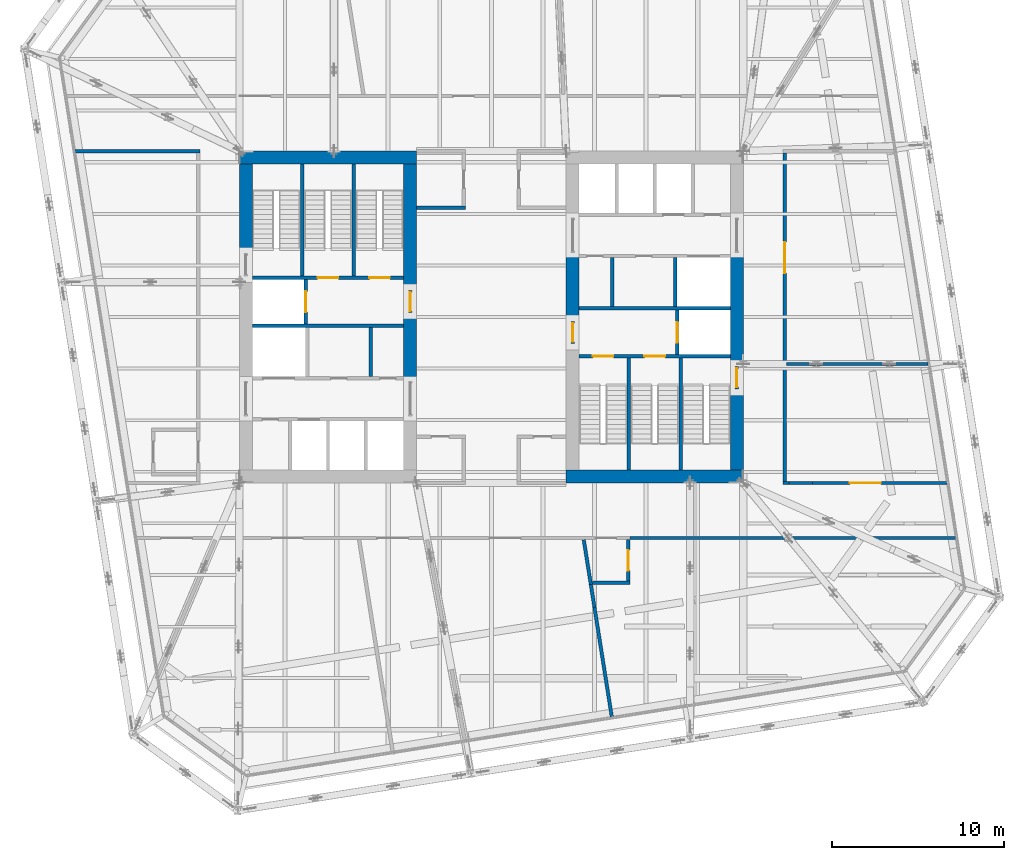
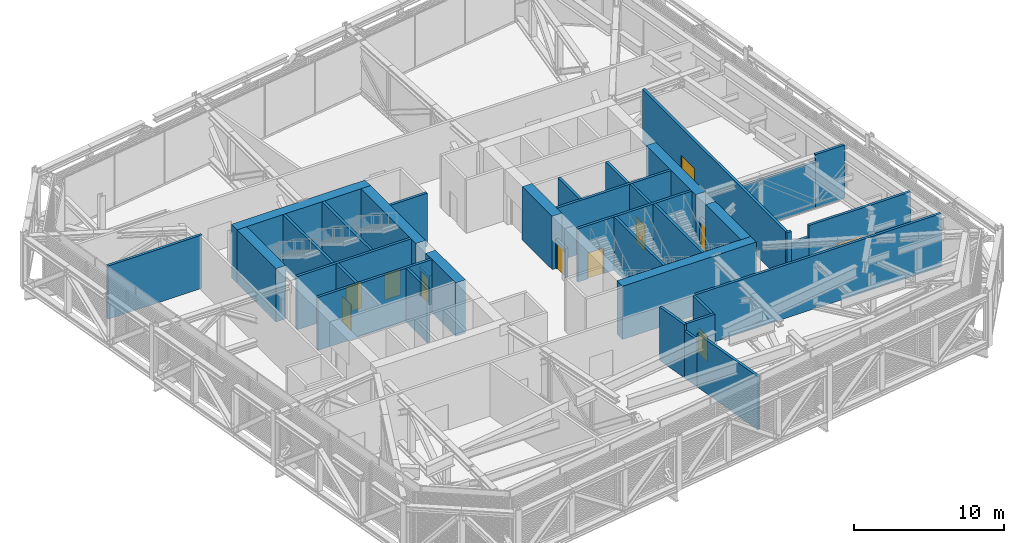
# One storey, part 21 of 31: 38 walls, 12 doors, 12 openings.
"""IFC4 building model written with IfcOpenShell, lengths in metres."""

import ifcopenshell
import ifcopenshell.guid

model = None  # the IFC model being written
_history = None  # IfcOwnerHistory: only IFC2X3 demands one
_inside = {}  # id of a spatial element -> (the spatial element, [elements in it])
_under = {}  # id of a project, library or spatial element -> (it, [spatial elements below it])
_declared = {}  # id of a project -> (the project, [libraries it declares])
_typed = {}  # id of a type object -> (the type object, [elements of that type])
_made_of = {}  # id of a material, layer set ... -> (it, [elements and type objects made of it])


def new_model(schema):
    """Start an empty IFC model of exactly this schema.

    Asked for "IFC4X3", IfcOpenShell would pick the latest addendum, in which some entities
    have other attributes; the version numbers below select the first issue.
    IFC2X3 requires an IfcOwnerHistory on every rooted entity: one is made here for all.
    """
    global model, _history
    if schema == "IFC4X3":
        model = ifcopenshell.file(schema_version=(4, 3, 0, 0))
    else:
        model = ifcopenshell.file(schema=schema)
    _inside.clear()
    _under.clear()
    _declared.clear()
    _typed.clear()
    _made_of.clear()
    _history = None
    if model.schema == "IFC2X3":
        org = make("IfcOrganization", Name="unknown")
        user = make(
            "IfcPersonAndOrganization",
            ThePerson=make("IfcPerson", FamilyName="unknown"),
            TheOrganization=org,
        )
        app = make(
            "IfcApplication",
            ApplicationDeveloper=org,
            Version="unknown",
            ApplicationFullName="unknown",
            ApplicationIdentifier="unknown",
        )
        _history = make(
            "IfcOwnerHistory",
            OwningUser=user,
            OwningApplication=app,
            ChangeAction="ADDED",
            CreationDate=0,
        )
    return model


def make(cls, **values):
    """One entity of the class cls with the attributes given. An attribute that is None is left unset."""
    return model.create_entity(
        cls, **{name: value for name, value in values.items() if value is not None}
    )


def rooted(cls, **values):
    """An entity with a GlobalId (a new one), such as an element, a storey or a relation."""
    return make(cls, GlobalId=ifcopenshell.guid.new(), OwnerHistory=_history, **values)


def si_unit(unit_type, name, prefix=None):
    """IfcSIUnit, for example si_unit("LENGTHUNIT", "METRE", prefix="MILLI")."""
    return make("IfcSIUnit", UnitType=unit_type, Prefix=prefix, Name=name)


def assignment(units):
    """IfcUnitAssignment: the units of a project."""
    return None if units is None else make("IfcUnitAssignment", Units=units)


def point(xyz):
    """IfcCartesianPoint."""
    return None if xyz is None else make("IfcCartesianPoint", Coordinates=xyz)


def direction(xyz):
    """IfcDirection."""
    return None if xyz is None else make("IfcDirection", DirectionRatios=xyz)


def frame(location, z_axis=None, x_axis=None):
    """IfcAxis2Placement3D, a coordinate frame: its origin and axes. An axis left out is left unset."""
    return make(
        "IfcAxis2Placement3D",
        Location=point(location),
        Axis=direction(z_axis),
        RefDirection=direction(x_axis),
    )


def frame_2d(location, x_axis=None):
    """IfcAxis2Placement2D, a coordinate frame in the plane: its origin and x axis."""
    return make(
        "IfcAxis2Placement2D", Location=point(location), RefDirection=direction(x_axis)
    )


def origin():
    """The frame at (0, 0, 0) with its axes left unset."""
    return frame((0.0, 0.0, 0.0))


def place(relative_to, where):
    """IfcLocalPlacement: puts the frame where relative to a parent placement (None: the world)."""
    return make(
        "IfcLocalPlacement", PlacementRelTo=relative_to, RelativePlacement=where
    )


def context(
    kind, dimensions, precision=None, world=None, true_north=None, identifier=None
):
    """IfcGeometricRepresentationContext, for example the 3D "Model" context."""
    return make(
        "IfcGeometricRepresentationContext",
        ContextIdentifier=identifier,
        ContextType=kind,
        CoordinateSpaceDimension=dimensions,
        Precision=precision,
        WorldCoordinateSystem=world,
        TrueNorth=true_north,
    )


def subcontext(parent, identifier, kind, view, scale=None):
    """IfcGeometricRepresentationSubContext, for example "Body" below "Model"."""
    return make(
        "IfcGeometricRepresentationSubContext",
        ContextIdentifier=identifier,
        ContextType=kind,
        ParentContext=parent,
        TargetScale=scale,
        TargetView=view,
    )


def project(units=None, contexts=None):
    """IfcProject with its units and contexts."""
    return rooted(
        "IfcProject",
        Name="project",
        RepresentationContexts=contexts,
        UnitsInContext=assignment(units),
    )


def spatial(cls, under=None, at=None, **own):
    """A site, building, storey or space (cls), placed at a placement, below another one or the project."""
    s = rooted(cls, ObjectPlacement=at, **own)
    if under is not None:
        _under.setdefault(under.id(), (under, []))[1].append(s)
    return s


def profile(cls, at=None, kind="AREA", **sizes):
    """A parametric profile (cls). Its sizes go by their IFC names, for example OverallWidth=200.0."""
    return make(cls, ProfileType=kind, Position=at, **sizes)


def rectangle(**sizes):
    """IfcRectangleProfileDef."""
    return profile("IfcRectangleProfileDef", **sizes)


def extrude(swept, where, along, depth):
    """IfcExtrudedAreaSolid: the profile swept, set in the frame where, extruded along a direction by depth."""
    return make(
        "IfcExtrudedAreaSolid",
        SweptArea=swept,
        Position=where,
        ExtrudedDirection=direction(along),
        Depth=depth,
    )


def shape(context_of_items, identifier, shape_type, items):
    """IfcShapeRepresentation: the items that make up one representation, for example the "Body"."""
    return make(
        "IfcShapeRepresentation",
        ContextOfItems=context_of_items,
        RepresentationIdentifier=identifier,
        RepresentationType=shape_type,
        Items=items,
    )


def material(Name=None, Category=None):
    """IfcMaterial."""
    return make("IfcMaterial", Name=Name, Category=Category)


def layer(
    of_material, thickness, ventilated=None, Name=None, Category=None, Priority=None
):
    """IfcMaterialLayer: one layer of a wall or slab, of a material (None: an air gap)."""
    return make(
        "IfcMaterialLayer",
        Material=of_material,
        LayerThickness=thickness,
        IsVentilated=ventilated,
        Name=Name,
        Category=Category,
        Priority=Priority,
    )


def layer_set(layers, Name=None):
    """IfcMaterialLayerSet."""
    return make("IfcMaterialLayerSet", MaterialLayers=layers, LayerSetName=Name)


def made_of(thing, what):
    """Note that an element or type object is made of a material, layer set ...; save() writes the relation."""
    if what is not None:
        _made_of.setdefault(what.id(), (what, []))[1].append(thing)
    return thing


def type_object(cls, material=None, **own):
    """A type object (cls), such as IfcWallType, which elements share."""
    return made_of(rooted(cls, **own), material)


def element(
    cls,
    number,
    at=None,
    inside=None,
    cuts=None,
    type_object=None,
    material=None,
    context=None,
    identifier="Body",
    shape_type=None,
    held_by="IfcProductDefinitionShape",
    body=None,
    shapes=None,
    **own,
):
    """One element of the class cls, such as IfcWall. Its Tag is "e" and its number.

    at: its placement. inside: the storey or other place that contains it. cuts: it is an
    opening in that element (IfcRelVoidsElement). A single representation is given by context,
    identifier, shape_type and body (its items); several are given by shapes. held_by: the class
    of the entity that holds the representations. save() writes the other relations.
    """
    e = rooted(cls, Tag="e%d" % number, ObjectPlacement=at, **own)
    if body is not None:
        shapes = [shape(context, identifier, shape_type, body)]
    if shapes is not None:
        e.Representation = make(held_by, Representations=shapes)
    if inside is not None:
        _inside.setdefault(inside.id(), (inside, []))[1].append(e)
    if cuts is not None:
        rooted(
            "IfcRelVoidsElement", RelatingBuildingElement=cuts, RelatedOpeningElement=e
        )
    if type_object is not None:
        _typed.setdefault(type_object.id(), (type_object, []))[1].append(e)
    return made_of(e, material)


def fill(opening, filler):
    """IfcRelFillsElement: the door or window that sits in an opening."""
    return rooted(
        "IfcRelFillsElement",
        RelatingOpeningElement=opening,
        RelatedBuildingElement=filler,
    )


def aggregate(whole, parts):
    """IfcRelAggregates: a whole, such as a stair, and the parts it consists of."""
    return rooted("IfcRelAggregates", RelatingObject=whole, RelatedObjects=parts)


def save(model, path):
    """Write the relations noted so far, then the file.

    IfcRelAggregates (storeys below a building ...), IfcRelContainedInSpatialStructure (elements
    in a storey), IfcRelDefinesByType, IfcRelAssociatesMaterial and IfcRelDeclares: one each for
    every whole, place, type object, material and project.
    """
    for whole, parts in _under.values():
        aggregate(whole, parts)
    for where, things in _inside.values():
        rooted(
            "IfcRelContainedInSpatialStructure",
            RelatedElements=things,
            RelatingStructure=where,
        )
    for kind, things in _typed.values():
        rooted("IfcRelDefinesByType", RelatedObjects=things, RelatingType=kind)
    for what, things in _made_of.values():
        rooted("IfcRelAssociatesMaterial", RelatedObjects=things, RelatingMaterial=what)
    for by, libraries in _declared.values():
        rooted("IfcRelDeclares", RelatingContext=by, RelatedDefinitions=libraries)
    model.write(path)


model = new_model("IFC4")

# Units and contexts
model_context = context("Model", 3, precision=1e-05, world=origin(), true_north=direction((0.0, 1.0)))
body_context = subcontext(model_context, "Body", "Model", "MODEL_VIEW")
ifc_project = project(units=[si_unit("LENGTHUNIT", "METRE"), si_unit("AREAUNIT", "SQUARE_METRE"), si_unit("VOLUMEUNIT", "CUBIC_METRE"), si_unit("PLANEANGLEUNIT", "RADIAN"), si_unit("MASSUNIT", "GRAM", prefix="KILO")], contexts=[model_context])

# Site, building, storey
site_placement = place(None, origin())
site = spatial("IfcSite", under=ifc_project, at=site_placement, CompositionType="ELEMENT")
building_placement = place(site_placement, origin())
building = spatial("IfcBuilding", under=site, at=building_placement, Name="Millrace Tower", CompositionType="ELEMENT")
storey_placement = place(building_placement, frame((0.0, 0.0, 195.60009765625)))
storey = spatial("IfcBuildingStorey", under=building, at=storey_placement, Name="L44", CompositionType="ELEMENT", Elevation=195.60009765625)

# Walls
ifc_material_1 = material(Name="Concrete C70", Category="concrete")
ifc_layer_1 = layer(ifc_material_1, 0.75)
ifc_layer_set_1 = layer_set([ifc_layer_1], Name="Concrete C70")
wall_type_1 = type_object("IfcWallType", Name="Core wall 750 Concrete C70", PredefinedType="SHEAR", material=ifc_layer_set_1)
wall_1_placement = place(storey_placement, frame((-14.64990234375, 9.27490234375, 0.0), z_axis=(0.0, 0.0, 1.0), x_axis=(1.0, 0.0, 0.0)))
element("IfcWall", 1, at=wall_1_placement, inside=storey, type_object=wall_type_1, Name="Core wall W L44", PredefinedType="SHEAR", context=body_context, shape_type="SweptSolid", body=[
    extrude(rectangle(XDim=10.2998046875, YDim=0.75, at=frame_2d((5.14990234375, 0.0))), origin(), (0.0, 0.0, 1.0), 4.33984375),
])
wall_2_placement = place(storey_placement, frame((-14.27490234375, 3.679931640625, 0.0), z_axis=(0.0, 0.0, 1.0), x_axis=(0.0, 1.0, 0.0)))
element("IfcWall", 2, at=wall_2_placement, inside=storey, type_object=wall_type_1, Name="Core wall W L44", PredefinedType="SHEAR", context=body_context, shape_type="SweptSolid", body=[
    extrude(rectangle(XDim=5.219970703125, YDim=0.75, at=frame_2d((2.60986328125, 0.0))), origin(), (0.0, 0.0, 1.0), 4.33984375),
])
wall_3_placement = place(storey_placement, frame((-4.72509765625, -3.75, 0.0), z_axis=(0.0, 0.0, 1.0), x_axis=(0.0, 1.0, 0.0)))
element("IfcWall", 3, at=wall_3_placement, inside=storey, type_object=wall_type_1, Name="Core wall W L44", PredefinedType="SHEAR", context=body_context, shape_type="SweptSolid", body=[
    extrude(rectangle(XDim=4.0, YDim=0.75, at=frame_2d((2.0, 0.0))), origin(), (0.0, 0.0, 1.0), 4.33984375),
])
wall_4_placement = place(storey_placement, frame((-4.72509765625, 1.550048828125, 0.0), z_axis=(0.0, 0.0, 1.0), x_axis=(0.0, 1.0, 0.0)))
element("IfcWall", 4, at=wall_4_placement, inside=storey, type_object=wall_type_1, Name="Core wall W L44", PredefinedType="SHEAR", context=body_context, shape_type="SweptSolid", body=[
    extrude(rectangle(XDim=7.349853515625, YDim=0.75, at=frame_2d((3.6748046875, 0.0))), origin(), (0.0, 0.0, 1.0), 4.33984375),
])
wall_5_placement = place(storey_placement, frame((14.64990234375, -9.27490234375, 0.0), z_axis=(0.0, 0.0, 1.0), x_axis=(-1.0, 0.0, 0.0)))
element("IfcWall", 5, at=wall_5_placement, inside=storey, type_object=wall_type_1, Name="Core wall E L44", PredefinedType="SHEAR", context=body_context, shape_type="SweptSolid", body=[
    extrude(rectangle(XDim=10.2998046875, YDim=0.75, at=frame_2d((5.14990234375, 0.0))), origin(), (0.0, 0.0, 1.0), 4.33984375),
])
wall_6_placement = place(storey_placement, frame((14.27490234375, 3.75, 0.0), z_axis=(0.0, 0.0, 1.0), x_axis=(0.0, -1.0, 0.0)))
element("IfcWall", 6, at=wall_6_placement, inside=storey, type_object=wall_type_1, Name="Core wall E L44", PredefinedType="SHEAR", context=body_context, shape_type="SweptSolid", body=[
    extrude(rectangle(XDim=6.6298828125, YDim=0.75, at=frame_2d((3.31494140625, 0.0))), origin(), (0.0, 0.0, 1.0), 4.33984375),
])
wall_7_placement = place(storey_placement, frame((14.27490234375, -4.179931640625, 0.0), z_axis=(0.0, 0.0, 1.0), x_axis=(0.0, -1.0, 0.0)))
element("IfcWall", 7, at=wall_7_placement, inside=storey, type_object=wall_type_1, Name="Core wall E L44", PredefinedType="SHEAR", context=body_context, shape_type="SweptSolid", body=[
    extrude(rectangle(XDim=4.719970703125, YDim=0.75, at=frame_2d((2.35986328125, 0.0))), origin(), (0.0, 0.0, 1.0), 4.33984375),
])
wall_8_placement = place(storey_placement, frame((4.72509765625, 3.75, 0.0), z_axis=(0.0, 0.0, 1.0), x_axis=(0.0, -1.0, 0.0)))
element("IfcWall", 8, at=wall_8_placement, inside=storey, type_object=wall_type_1, Name="Core wall E L44", PredefinedType="SHEAR", context=body_context, shape_type="SweptSolid", body=[
    extrude(rectangle(XDim=4.0, YDim=0.75, at=frame_2d((2.0, 0.0))), origin(), (0.0, 0.0, 1.0), 4.33984375),
])
ifc_material_2 = material(Name="Masonry partition, fire-rated", Category="masonry")
ifc_layer_2 = layer(ifc_material_2, 0.199951171875)
ifc_layer_set_2 = layer_set([ifc_layer_2], Name="Masonry partition, fire-rated")
wall_type_2 = type_object("IfcWallType", Name="Corridor wall 200", PredefinedType="PARTITIONING", material=ifc_layer_set_2)
wall_9_placement = place(storey_placement, frame((5.373046875, -12.95068359375, 0.0), z_axis=(0.0, 0.0, 1.0), x_axis=(0.156401068116, -0.987693629569, 0.0)))
element("IfcWall", 9, at=wall_9_placement, inside=storey, type_object=wall_type_2, Name="Corridor wall L44", PredefinedType="PARTITIONING", context=body_context, shape_type="SweptSolid", body=[
    extrude(rectangle(XDim=2.63037109375, YDim=0.199951171875, at=frame_2d((1.315185546875, 0.0))), origin(), (0.0, 0.0, 1.0), 4.33984375),
])
wall_10_placement = place(storey_placement, frame((16.949951171875, -9.64990234375, 0.0), z_axis=(0.0, 0.0, 1.0), x_axis=(1.0, 0.0, 0.0)))
element("IfcWall", 10, at=wall_10_placement, inside=storey, type_object=wall_type_2, Name="Corridor wall L44", PredefinedType="PARTITIONING", context=body_context, shape_type="SweptSolid", body=[
    extrude(rectangle(XDim=0.349365234375, YDim=0.199951171875, at=frame_2d((0.1748046875, 0.0))), origin(), (0.0, 0.0, 1.0), 4.33984375),
])
wall_11_placement = place(storey_placement, frame((17.29931640625, -9.64990234375, 0.0), z_axis=(0.0, 0.0, 1.0), x_axis=(1.0, 0.0, 0.0)))
element("IfcWall", 11, at=wall_11_placement, inside=storey, type_object=wall_type_2, Name="Corridor wall L44", PredefinedType="PARTITIONING", context=body_context, shape_type="SweptSolid", body=[
    extrude(rectangle(XDim=1.3671875, YDim=0.199951171875, at=frame_2d((0.68359375, 0.0))), origin(), (0.0, 0.0, 1.0), 3.392578125),
])

# Wall, opening, door
wall_12_placement = place(storey_placement, frame((18.66650390625, -9.64990234375, 0.0), z_axis=(0.0, 0.0, 1.0), x_axis=(1.0, 0.0, 0.0)))
wall_12 = element("IfcWall", 12, at=wall_12_placement, inside=storey, type_object=wall_type_2, Name="Corridor wall L44", PredefinedType="PARTITIONING", context=body_context, shape_type="SweptSolid", body=[
    extrude(rectangle(XDim=7.829833984375, YDim=0.199951171875, at=frame_2d((3.9150390625, 0.0))), origin(), (0.0, 0.0, 1.0), 4.33984375),
])
opening_1_placement = place(wall_12_placement, frame((2.181640625, 0.0, 0.0)))
opening_1 = element("IfcOpeningElement", 13, at=opening_1_placement, cuts=wall_12, Name="Opening 44-P010", PredefinedType="OPENING", context=body_context, shape_type="SweptSolid", body=[
    extrude(rectangle(XDim=1.800048828125, YDim=2.10009765625, at=frame_2d((0.89990234375, 1.050048828125))), frame((0.0, 0.10986328125, 0.0), z_axis=(0.0, -1.0, 0.0), x_axis=(1.0, 0.0, 0.0)), (0.0, 0.0, 1.0), 0.219970703125),
])
ifc_material_3 = material(Name="Steel door set, fire-rated", Category="steel")
door_type_1 = type_object("IfcDoorType", Name="Plant room door 1800 x 2100", OperationType="DOUBLE_DOOR_SINGLE_SWING", PredefinedType="DOOR", material=ifc_material_3)
door_1_placement = place(opening_1_placement, origin())
door_1 = element("IfcDoor", 14, at=door_1_placement, inside=storey, type_object=door_type_1, Name="Door 44-P010", OperationType="DOUBLE_DOOR_SINGLE_SWING", OverallHeight=2.10009765625, OverallWidth=1.800048828125, PredefinedType="DOOR", context=body_context, shape_type="SweptSolid", body=[
    extrude(rectangle(XDim=1.800048828125, YDim=2.10009765625, at=frame_2d((0.89990234375, 1.050048828125))), frame((0.0, 0.02490234375, 0.0), z_axis=(0.0, -1.0, 0.0), x_axis=(1.0, 0.0, 0.0)), (0.0, 0.0, 1.0), 0.050048828125),
])
fill(opening_1, door_1)

# Walls
wall_13_placement = place(storey_placement, frame((17.14990234375, -2.7314453125, 0.0), z_axis=(0.0, 0.0, 1.0), x_axis=(1.0, 0.0, 0.0)))
element("IfcWall", 15, at=wall_13_placement, inside=storey, type_object=wall_type_2, Name="Corridor wall L44", PredefinedType="PARTITIONING", context=body_context, shape_type="SweptSolid", body=[
    extrude(rectangle(XDim=5.996826171875, YDim=0.199951171875, at=frame_2d((2.99853515625, 0.0))), origin(), (0.0, 0.0, 1.0), 3.75732421875),
])
wall_14_placement = place(storey_placement, frame((23.146728515625, -2.7314453125, 0.0), z_axis=(0.0, 0.0, 1.0), x_axis=(1.0, 0.0, 0.0)))
element("IfcWall", 16, at=wall_14_placement, inside=storey, type_object=wall_type_2, Name="Corridor wall L44", PredefinedType="PARTITIONING", context=body_context, shape_type="SweptSolid", body=[
    extrude(rectangle(XDim=2.253662109375, YDim=0.199951171875, at=frame_2d((1.126953125, 0.0))), origin(), (0.0, 0.0, 1.0), 4.33984375),
])
wall_15_placement = place(storey_placement, frame((-4.35009765625, 6.35009765625, 0.0), z_axis=(0.0, 0.0, 1.0), x_axis=(1.0, 0.0, 0.0)))
element("IfcWall", 17, at=wall_15_placement, inside=storey, type_object=wall_type_2, Name="Corridor wall L44", PredefinedType="PARTITIONING", context=body_context, shape_type="SweptSolid", body=[
    extrude(rectangle(XDim=2.85009765625, YDim=0.199951171875, at=frame_2d((1.425048828125, 0.0))), origin(), (0.0, 0.0, 1.0), 4.33984375),
])

# Wall, opening, door
wall_16_placement = place(storey_placement, frame((17.050048828125, -9.550048828125, 0.0), z_axis=(0.0, 0.0, 1.0), x_axis=(0.0, 1.0, 0.0)))
wall_16 = element("IfcWall", 18, at=wall_16_placement, inside=storey, type_object=wall_type_2, Name="Corridor wall L44", PredefinedType="PARTITIONING", context=body_context, shape_type="SweptSolid", body=[
    extrude(rectangle(XDim=19.10009765625, YDim=0.199951171875, at=frame_2d((9.550048828125, 0.0))), origin(), (0.0, 0.0, 1.0), 4.33984375),
])
opening_2_placement = place(wall_16_placement, frame((12.109130859375, 0.0, 0.0)))
opening_2 = element("IfcOpeningElement", 19, at=opening_2_placement, cuts=wall_16, Name="Opening 44-P009", PredefinedType="OPENING", context=body_context, shape_type="SweptSolid", body=[
    extrude(rectangle(XDim=1.800048828125, YDim=2.10009765625, at=frame_2d((0.89990234375, 1.050048828125))), frame((0.0, 0.10986328125, 0.0), z_axis=(0.0, -1.0, 0.0), x_axis=(1.0, 0.0, 0.0)), (0.0, 0.0, 1.0), 0.219970703125),
])
door_2_placement = place(opening_2_placement, frame((1.800048828125, 0.0, 0.0), z_axis=(0.0, 0.0, 1.0), x_axis=(-1.0, 0.0, 0.0)))
door_2 = element("IfcDoor", 20, at=door_2_placement, inside=storey, type_object=door_type_1, Name="Door 44-P009", OperationType="DOUBLE_DOOR_SINGLE_SWING", OverallHeight=2.10009765625, OverallWidth=1.800048828125, PredefinedType="DOOR", context=body_context, shape_type="SweptSolid", body=[
    extrude(rectangle(XDim=1.800048828125, YDim=2.10009765625, at=frame_2d((0.89990234375, 1.050048828125))), frame((0.0, 0.02490234375, 0.0), z_axis=(0.0, -1.0, 0.0), x_axis=(1.0, 0.0, 0.0)), (0.0, 0.0, 1.0), 0.050048828125),
])
fill(opening_2, door_2)

# Wall
ifc_material_4 = material(Name="Masonry partition, fire-rated", Category="masonry")
ifc_layer_3 = layer(ifc_material_4, 0.199951171875)
ifc_layer_set_3 = layer_set([ifc_layer_3], Name="Masonry partition, fire-rated")
wall_type_3 = type_object("IfcWallType", Name="Lift shaft wall 200", PredefinedType="PARTITIONING", material=ifc_layer_set_3)
wall_17_placement = place(storey_placement, frame((-13.89990234375, -0.5, 0.0), z_axis=(0.0, 0.0, 1.0), x_axis=(1.0, 0.0, 0.0)))
element("IfcWall", 21, at=wall_17_placement, inside=storey, type_object=wall_type_3, Name="Lift shaft wall W L44", PredefinedType="PARTITIONING", context=body_context, shape_type="SweptSolid", body=[
    extrude(rectangle(XDim=8.7998046875, YDim=0.199951171875, at=frame_2d((4.39990234375, 0.0))), origin(), (0.0, 0.0, 1.0), 4.33984375),
])

# Wall, opening, door
wall_18_placement = place(storey_placement, frame((-10.800048828125, -0.39990234375, 0.0), z_axis=(0.0, 0.0, 1.0), x_axis=(0.0, 1.0, 0.0)))
wall_18 = element("IfcWall", 22, at=wall_18_placement, inside=storey, type_object=wall_type_3, Name="Lift shaft wall W L44", PredefinedType="PARTITIONING", context=body_context, shape_type="SweptSolid", body=[
    extrude(rectangle(XDim=2.579833984375, YDim=0.199951171875, at=frame_2d((1.2900390625, 0.0))), origin(), (0.0, 0.0, 1.0), 4.33984375),
])
opening_3_placement = place(wall_18_placement, frame((0.68994140625, 0.0, 0.0)))
opening_3 = element("IfcOpeningElement", 23, at=opening_3_placement, cuts=wall_18, Name="Opening 44-LD08", PredefinedType="OPENING", context=body_context, shape_type="SweptSolid", body=[
    extrude(rectangle(XDim=1.199951171875, YDim=2.10009765625, at=frame_2d((0.60009765625, 1.050048828125))), frame((0.0, 0.10986328125, 0.0), z_axis=(0.0, -1.0, 0.0), x_axis=(1.0, 0.0, 0.0)), (0.0, 0.0, 1.0), 0.219970703125),
])
ifc_material_5 = material(Name="Stainless steel, fire-rated", Category="steel")
door_type_2 = type_object("IfcDoorType", Name="Lift landing door 1200 x 2100", OperationType="DOUBLE_DOOR_SLIDING", PredefinedType="DOOR", material=ifc_material_5)
door_3_placement = place(opening_3_placement, origin())
door_3 = element("IfcDoor", 24, at=door_3_placement, inside=storey, type_object=door_type_2, Name="Lift landing door LF8 L44", OperationType="DOUBLE_DOOR_SLIDING", OverallHeight=2.10009765625, OverallWidth=1.199951171875, PredefinedType="DOOR", context=body_context, shape_type="SweptSolid", body=[
    extrude(rectangle(XDim=1.199951171875, YDim=2.10009765625, at=frame_2d((0.60009765625, 1.050048828125))), frame((0.0, 0.02490234375, 0.0), z_axis=(0.0, -1.0, 0.0), x_axis=(1.0, 0.0, 0.0)), (0.0, 0.0, 1.0), 0.050048828125),
])
fill(opening_3, door_3)

# Wall
wall_19_placement = place(storey_placement, frame((13.89990234375, 0.5, 0.0), z_axis=(0.0, 0.0, 1.0), x_axis=(-1.0, 0.0, 0.0)))
element("IfcWall", 25, at=wall_19_placement, inside=storey, type_object=wall_type_3, Name="Lift shaft wall E L44", PredefinedType="PARTITIONING", context=body_context, shape_type="SweptSolid", body=[
    extrude(rectangle(XDim=8.7998046875, YDim=0.199951171875, at=frame_2d((4.39990234375, 0.0))), origin(), (0.0, 0.0, 1.0), 4.33984375),
])

# Wall, opening, door
wall_20_placement = place(storey_placement, frame((10.800048828125, 0.39990234375, 0.0), z_axis=(0.0, 0.0, 1.0), x_axis=(0.0, -1.0, 0.0)))
wall_20 = element("IfcWall", 26, at=wall_20_placement, inside=storey, type_object=wall_type_3, Name="Lift shaft wall E L44", PredefinedType="PARTITIONING", context=body_context, shape_type="SweptSolid", body=[
    extrude(rectangle(XDim=2.579833984375, YDim=0.199951171875, at=frame_2d((1.2900390625, 0.0))), origin(), (0.0, 0.0, 1.0), 4.33984375),
])
opening_4_placement = place(wall_20_placement, frame((0.68994140625, 0.0, 0.0)))
opening_4 = element("IfcOpeningElement", 27, at=opening_4_placement, cuts=wall_20, Name="Opening 44-LD16", PredefinedType="OPENING", context=body_context, shape_type="SweptSolid", body=[
    extrude(rectangle(XDim=1.199951171875, YDim=2.10009765625, at=frame_2d((0.60009765625, 1.050048828125))), frame((0.0, 0.10986328125, 0.0), z_axis=(0.0, -1.0, 0.0), x_axis=(1.0, 0.0, 0.0)), (0.0, 0.0, 1.0), 0.219970703125),
])
door_4_placement = place(opening_4_placement, origin())
door_4 = element("IfcDoor", 28, at=door_4_placement, inside=storey, type_object=door_type_2, Name="Lift landing door LF16 L44", OperationType="DOUBLE_DOOR_SLIDING", OverallHeight=2.10009765625, OverallWidth=1.199951171875, PredefinedType="DOOR", context=body_context, shape_type="SweptSolid", body=[
    extrude(rectangle(XDim=1.199951171875, YDim=2.10009765625, at=frame_2d((0.60009765625, 1.050048828125))), frame((0.0, 0.02490234375, 0.0), z_axis=(0.0, -1.0, 0.0), x_axis=(1.0, 0.0, 0.0)), (0.0, 0.0, 1.0), 0.050048828125),
])
fill(opening_4, door_4)

# Wall
wall_21_placement = place(storey_placement, frame((10.699951171875, 3.449951171875, 0.0), z_axis=(0.0, 0.0, 1.0), x_axis=(0.0, -1.0, 0.0)))
element("IfcWall", 29, at=wall_21_placement, inside=storey, type_object=wall_type_3, Name="Lift shaft wall E L44", PredefinedType="PARTITIONING", context=body_context, shape_type="SweptSolid", body=[
    extrude(rectangle(XDim=2.849853515625, YDim=0.199951171875, at=frame_2d((1.4248046875, 0.0))), origin(), (0.0, 0.0, 1.0), 4.33984375),
])

# Wall, opening, door
ifc_material_6 = material(Name="Masonry partition, fire-rated", Category="masonry")
ifc_layer_4 = layer(ifc_material_6, 0.199951171875)
ifc_layer_set_4 = layer_set([ifc_layer_4], Name="Masonry partition, fire-rated")
wall_type_4 = type_object("IfcWallType", Name="Lobby wall 200", PredefinedType="PARTITIONING", material=ifc_layer_set_4)
wall_22_placement = place(storey_placement, frame((-4.72509765625, 0.25, 0.0), z_axis=(0.0, 0.0, 1.0), x_axis=(0.0, 1.0, 0.0)))
wall_22 = element("IfcWall", 30, at=wall_22_placement, inside=storey, type_object=wall_type_4, Name="Lobby wall W L44", PredefinedType="PARTITIONING", context=body_context, shape_type="SweptSolid", body=[
    extrude(rectangle(XDim=1.300048828125, YDim=0.199951171875, at=frame_2d((0.64990234375, 0.0))), origin(), (0.0, 0.0, 1.0), 2.39990234375),
])
opening_5_placement = place(wall_22_placement, frame((0.10009765625, 0.0, 0.0)))
opening_5 = element("IfcOpeningElement", 31, at=opening_5_placement, cuts=wall_22, Name="Opening 44-C004", PredefinedType="OPENING", context=body_context, shape_type="SweptSolid", body=[
    extrude(rectangle(XDim=1.10009765625, YDim=2.10009765625, at=frame_2d((0.550048828125, 1.050048828125))), frame((0.0, 0.10986328125, 0.0), z_axis=(0.0, -1.0, 0.0), x_axis=(1.0, 0.0, 0.0)), (0.0, 0.0, 1.0), 0.219970703125),
])
ifc_material_7 = material(Name="Steel door, fire-rated", Category="steel")
door_type_3 = type_object("IfcDoorType", Name="Lobby door 1100 x 2100", OperationType="SINGLE_SWING_LEFT", PredefinedType="DOOR", material=ifc_material_7)
door_5_placement = place(opening_5_placement, origin())
door_5 = element("IfcDoor", 32, at=door_5_placement, inside=storey, type_object=door_type_3, Name="Lobby door 44-C004", OperationType="SINGLE_SWING_RIGHT", OverallHeight=2.10009765625, OverallWidth=1.10009765625, PredefinedType="DOOR", context=body_context, shape_type="SweptSolid", body=[
    extrude(rectangle(XDim=1.10009765625, YDim=2.10009765625, at=frame_2d((0.550048828125, 1.050048828125))), frame((0.0, 0.02490234375, 0.0), z_axis=(0.0, -1.0, 0.0), x_axis=(1.0, 0.0, 0.0)), (0.0, 0.0, 1.0), 0.050048828125),
])
fill(opening_5, door_5)

wall_23_placement = place(storey_placement, frame((4.72509765625, -0.25, 0.0), z_axis=(0.0, 0.0, 1.0), x_axis=(0.0, -1.0, 0.0)))
wall_23 = element("IfcWall", 33, at=wall_23_placement, inside=storey, type_object=wall_type_4, Name="Lobby wall E L44", PredefinedType="PARTITIONING", context=body_context, shape_type="SweptSolid", body=[
    extrude(rectangle(XDim=1.300048828125, YDim=0.199951171875, at=frame_2d((0.64990234375, 0.0))), origin(), (0.0, 0.0, 1.0), 2.39990234375),
])
opening_6_placement = place(wall_23_placement, frame((0.10009765625, 0.0, 0.0)))
opening_6 = element("IfcOpeningElement", 34, at=opening_6_placement, cuts=wall_23, Name="Opening 44-C013", PredefinedType="OPENING", context=body_context, shape_type="SweptSolid", body=[
    extrude(rectangle(XDim=1.10009765625, YDim=2.10009765625, at=frame_2d((0.550048828125, 1.050048828125))), frame((0.0, 0.10986328125, 0.0), z_axis=(0.0, -1.0, 0.0), x_axis=(1.0, 0.0, 0.0)), (0.0, 0.0, 1.0), 0.219970703125),
])
door_6_placement = place(opening_6_placement, origin())
door_6 = element("IfcDoor", 35, at=door_6_placement, inside=storey, type_object=door_type_3, Name="Lobby door 44-C013", OperationType="SINGLE_SWING_LEFT", OverallHeight=2.10009765625, OverallWidth=1.10009765625, PredefinedType="DOOR", context=body_context, shape_type="SweptSolid", body=[
    extrude(rectangle(XDim=1.10009765625, YDim=2.10009765625, at=frame_2d((0.550048828125, 1.050048828125))), frame((0.0, 0.02490234375, 0.0), z_axis=(0.0, -1.0, 0.0), x_axis=(1.0, 0.0, 0.0)), (0.0, 0.0, 1.0), 0.050048828125),
])
fill(opening_6, door_6)

# Walls
ifc_material_8 = material(Name="Masonry partition, fire-rated", Category="masonry")
ifc_layer_5 = layer(ifc_material_8, 0.199951171875)
ifc_layer_set_5 = layer_set([ifc_layer_5], Name="Masonry partition, fire-rated")
wall_type_5 = type_object("IfcWallType", Name="Refuge area wall 200", PredefinedType="PARTITIONING", material=ifc_layer_set_5)
wall_24_placement = place(storey_placement, frame((5.78369140625, -15.548828125, 0.0), z_axis=(0.0, 0.0, 1.0), x_axis=(0.156447190759, -0.987686324955, 0.0)))
element("IfcWall", 36, at=wall_24_placement, inside=storey, type_object=wall_type_5, Name="Refuge area wall L44", PredefinedType="PARTITIONING", context=body_context, shape_type="SweptSolid", body=[
    extrude(rectangle(XDim=1.34521484375, YDim=0.199951171875, at=frame_2d((0.672607421875, 0.0))), origin(), (0.0, 0.0, 1.0), 3.814208984375),
])
wall_25_placement = place(storey_placement, frame((5.994140625, -16.87744140625, 0.0), z_axis=(0.0, 0.0, 1.0), x_axis=(0.15651987276, -0.987674809556, 0.0)))
element("IfcWall", 37, at=wall_25_placement, inside=storey, type_object=wall_type_5, Name="Refuge area wall L44", PredefinedType="PARTITIONING", context=body_context, shape_type="SweptSolid", body=[
    extrude(rectangle(XDim=6.4560546875, YDim=0.199951171875, at=frame_2d((3.22802734375, 0.0))), origin(), (0.0, 0.0, 1.0), 4.33984375),
])
wall_26_placement = place(storey_placement, frame((5.8701171875, -15.449951171875, 0.0), z_axis=(0.0, 0.0, 1.0), x_axis=(1.0, 0.0, 0.0)))
element("IfcWall", 38, at=wall_26_placement, inside=storey, type_object=wall_type_5, Name="Refuge area wall L44", PredefinedType="PARTITIONING", context=body_context, shape_type="SweptSolid", body=[
    extrude(rectangle(XDim=2.186767578125, YDim=0.199951171875, at=frame_2d((1.09326171875, 0.0))), origin(), (0.0, 0.0, 1.0), 4.33984375),
])
wall_27_placement = place(storey_placement, frame((8.056884765625, -12.85009765625, 0.0), z_axis=(0.0, 0.0, 1.0), x_axis=(1.0, 0.0, 0.0)))
element("IfcWall", 39, at=wall_27_placement, inside=storey, type_object=wall_type_5, Name="Refuge area wall L44", PredefinedType="PARTITIONING", context=body_context, shape_type="SweptSolid", body=[
    extrude(rectangle(XDim=18.9462890625, YDim=0.199951171875, at=frame_2d((9.47314453125, 0.0))), origin(), (0.0, 0.0, 1.0), 4.33984375),
])
wall_28_placement = place(storey_placement, frame((-24.20703125, 9.64990234375, 0.0), z_axis=(0.0, 0.0, 1.0), x_axis=(1.0, 0.0, 0.0)))
element("IfcWall", 40, at=wall_28_placement, inside=storey, type_object=wall_type_5, Name="Refuge area wall L44", PredefinedType="PARTITIONING", context=body_context, shape_type="SweptSolid", body=[
    extrude(rectangle(XDim=7.257080078125, YDim=0.199951171875, at=frame_2d((3.62841796875, 0.0))), origin(), (0.0, 0.0, 1.0), 4.33984375),
])

# Wall, opening, door
wall_29_placement = place(storey_placement, frame((7.95703125, -15.35009765625, 0.0), z_axis=(0.0, 0.0, 1.0), x_axis=(0.0, 1.0, 0.0)))
wall_29 = element("IfcWall", 41, at=wall_29_placement, inside=storey, type_object=wall_type_5, Name="Refuge area wall L44", PredefinedType="PARTITIONING", context=body_context, shape_type="SweptSolid", body=[
    extrude(rectangle(XDim=2.400146484375, YDim=0.199951171875, at=frame_2d((1.2001953125, 0.0))), origin(), (0.0, 0.0, 1.0), 4.33984375),
])
opening_7_placement = place(wall_29_placement, frame((0.60009765625, 0.0, 0.0)))
opening_7 = element("IfcOpeningElement", 42, at=opening_7_placement, cuts=wall_29, Name="Opening 44-P015", PredefinedType="OPENING", context=body_context, shape_type="SweptSolid", body=[
    extrude(rectangle(XDim=1.199951171875, YDim=2.10009765625, at=frame_2d((0.60009765625, 1.050048828125))), frame((0.0, 0.10986328125, 0.0), z_axis=(0.0, -1.0, 0.0), x_axis=(1.0, 0.0, 0.0)), (0.0, 0.0, 1.0), 0.219970703125),
])
ifc_material_9 = material(Name="Steel door set, fire-rated", Category="steel")
door_type_4 = type_object("IfcDoorType", Name="Refuge door 1200 x 2100", OperationType="SINGLE_SWING_LEFT", PredefinedType="DOOR", material=ifc_material_9)
door_7_placement = place(opening_7_placement, frame((1.199951171875, 0.0, 0.0), z_axis=(0.0, 0.0, 1.0), x_axis=(-1.0, 0.0, 0.0)))
door_7 = element("IfcDoor", 43, at=door_7_placement, inside=storey, type_object=door_type_4, Name="Door 44-P015", OperationType="SINGLE_SWING_RIGHT", OverallHeight=2.10009765625, OverallWidth=1.199951171875, PredefinedType="DOOR", context=body_context, shape_type="SweptSolid", body=[
    extrude(rectangle(XDim=1.199951171875, YDim=2.10009765625, at=frame_2d((0.60009765625, 1.050048828125))), frame((0.0, 0.02490234375, 0.0), z_axis=(0.0, -1.0, 0.0), x_axis=(1.0, 0.0, 0.0)), (0.0, 0.0, 1.0), 0.050048828125),
])
fill(opening_7, door_7)

# Walls
ifc_material_10 = material(Name="Masonry partition, fire-rated", Category="masonry")
ifc_layer_6 = layer(ifc_material_10, 0.199951171875)
ifc_layer_set_6 = layer_set([ifc_layer_6], Name="Masonry partition, fire-rated")
wall_type_6 = type_object("IfcWallType", Name="Room partition 200", PredefinedType="PARTITIONING", material=ifc_layer_set_6)
for number, where, z_axis, x_axis, name in (
    (44, (-7.02490234375, -3.449951171875, 0.0), (0.0, 0.0, 1.0), (0.0, 1.0, 0.0), "Room partition W L44"),
    (45, (7.02490234375, 3.449951171875, 0.0), (0.0, 0.0, 1.0), (0.0, -1.0, 0.0), "Room partition E L44"),
):
    element("IfcWall", number, at=place(storey_placement, frame(where, z_axis=z_axis, x_axis=x_axis)), inside=storey, type_object=wall_type_6, Name=name, PredefinedType="PARTITIONING", context=body_context, shape_type="SweptSolid", body=[
        extrude(rectangle(XDim=2.849853515625, YDim=0.199951171875, at=frame_2d((1.4248046875, 0.0))), origin(), (0.0, 0.0, 1.0), 4.33984375),
    ])

# Wall, openings, doors
ifc_material_11 = material(Name="Concrete C40", Category="concrete")
ifc_layer_7 = layer(ifc_material_11, 0.199951171875)
ifc_layer_set_7 = layer_set([ifc_layer_7], Name="Concrete C40")
wall_type_7 = type_object("IfcWallType", Name="Stair enclosure wall 200 Concrete C40", PredefinedType="SHEAR", material=ifc_layer_set_7)
wall_30_placement = place(storey_placement, frame((-13.89990234375, 2.280029296875, 0.0), z_axis=(0.0, 0.0, 1.0), x_axis=(1.0, 0.0, 0.0)))
wall_30 = element("IfcWall", 46, at=wall_30_placement, inside=storey, type_object=wall_type_7, Name="Stair enclosure wall W L44", PredefinedType="SHEAR", context=body_context, shape_type="SweptSolid", body=[
    extrude(rectangle(XDim=8.7998046875, YDim=0.199951171875, at=frame_2d((4.39990234375, 0.0))), origin(), (0.0, 0.0, 1.0), 4.33984375),
])
opening_8_placement = place(wall_30_placement, frame((3.800048828125, 0.0, 0.0)))
opening_8 = element("IfcOpeningElement", 47, at=opening_8_placement, cuts=wall_30, Name="Opening 44-C008", PredefinedType="OPENING", context=body_context, shape_type="SweptSolid", body=[
    extrude(rectangle(XDim=1.199951171875, YDim=2.10009765625, at=frame_2d((0.60009765625, 1.050048828125))), frame((0.0, 0.10986328125, 0.0), z_axis=(0.0, -1.0, 0.0), x_axis=(1.0, 0.0, 0.0)), (0.0, 0.0, 1.0), 0.219970703125),
])
opening_9_placement = place(wall_30_placement, frame((6.800048828125, 0.0, 0.0)))
opening_9 = element("IfcOpeningElement", 48, at=opening_9_placement, cuts=wall_30, Name="Opening 44-C009", PredefinedType="OPENING", context=body_context, shape_type="SweptSolid", body=[
    extrude(rectangle(XDim=1.199951171875, YDim=2.10009765625, at=frame_2d((0.60009765625, 1.050048828125))), frame((0.0, 0.10986328125, 0.0), z_axis=(0.0, -1.0, 0.0), x_axis=(1.0, 0.0, 0.0)), (0.0, 0.0, 1.0), 0.219970703125),
])
ifc_material_12 = material(Name="Steel door, fire-rated", Category="steel")
door_type_5 = type_object("IfcDoorType", Name="Stair door 1200 x 2100", OperationType="SINGLE_SWING_LEFT", PredefinedType="DOOR", material=ifc_material_12)
door_8_placement = place(opening_8_placement, frame((1.199951171875, 0.0, 0.0), z_axis=(0.0, 0.0, 1.0), x_axis=(-1.0, 0.0, 0.0)))
door_8 = element("IfcDoor", 49, at=door_8_placement, inside=storey, type_object=door_type_5, Name="Stair door 44-C008", OperationType="SINGLE_SWING_LEFT", OverallHeight=2.10009765625, OverallWidth=1.199951171875, PredefinedType="DOOR", context=body_context, shape_type="SweptSolid", body=[
    extrude(rectangle(XDim=1.199951171875, YDim=2.10009765625, at=frame_2d((0.60009765625, 1.050048828125))), frame((0.0, 0.02490234375, 0.0), z_axis=(0.0, -1.0, 0.0), x_axis=(1.0, 0.0, 0.0)), (0.0, 0.0, 1.0), 0.050048828125),
])
fill(opening_8, door_8)
door_9_placement = place(opening_9_placement, frame((1.199951171875, 0.0, 0.0), z_axis=(0.0, 0.0, 1.0), x_axis=(-1.0, 0.0, 0.0)))
door_9 = element("IfcDoor", 50, at=door_9_placement, inside=storey, type_object=door_type_5, Name="Stair door 44-C009", OperationType="SINGLE_SWING_LEFT", OverallHeight=2.10009765625, OverallWidth=1.199951171875, PredefinedType="DOOR", context=body_context, shape_type="SweptSolid", body=[
    extrude(rectangle(XDim=1.199951171875, YDim=2.10009765625, at=frame_2d((0.60009765625, 1.050048828125))), frame((0.0, 0.02490234375, 0.0), z_axis=(0.0, -1.0, 0.0), x_axis=(1.0, 0.0, 0.0)), (0.0, 0.0, 1.0), 0.050048828125),
])
fill(opening_9, door_9)

# Walls
for number, where, z_axis, x_axis, name in (
    (51, (-11.0, 2.3798828125, 0.0), (0.0, 0.0, 1.0), (0.0, 1.0, 0.0), "Stair enclosure wall W L44"),
    (52, (-8.0, 2.3798828125, 0.0), (0.0, 0.0, 1.0), (0.0, 1.0, 0.0), "Stair enclosure wall W L44"),
):
    element("IfcWall", number, at=place(storey_placement, frame(where, z_axis=z_axis, x_axis=x_axis)), inside=storey, type_object=wall_type_7, Name=name, PredefinedType="SHEAR", context=body_context, shape_type="SweptSolid", body=[
        extrude(rectangle(XDim=6.52001953125, YDim=0.199951171875, at=frame_2d((3.260009765625, 0.0))), origin(), (0.0, 0.0, 1.0), 4.33984375),
    ])

# Wall, opening, door
wall_31_placement = place(storey_placement, frame((14.27490234375, -2.8798828125, 0.0), z_axis=(0.0, 0.0, 1.0), x_axis=(0.0, -1.0, 0.0)))
wall_31 = element("IfcWall", 53, at=wall_31_placement, inside=storey, type_object=wall_type_7, Name="Stair enclosure wall E L44", PredefinedType="SHEAR", context=body_context, shape_type="SweptSolid", body=[
    extrude(rectangle(XDim=1.300048828125, YDim=0.199951171875, at=frame_2d((0.64990234375, 0.0))), origin(), (0.0, 0.0, 1.0), 2.39990234375),
])
opening_10_placement = place(wall_31_placement, frame((0.10009765625, 0.0, 0.0)))
opening_10 = element("IfcOpeningElement", 54, at=opening_10_placement, cuts=wall_31, Name="Opening 44-C011", PredefinedType="OPENING", context=body_context, shape_type="SweptSolid", body=[
    extrude(rectangle(XDim=1.10009765625, YDim=2.10009765625, at=frame_2d((0.550048828125, 1.050048828125))), frame((0.0, 0.10986328125, 0.0), z_axis=(0.0, -1.0, 0.0), x_axis=(1.0, 0.0, 0.0)), (0.0, 0.0, 1.0), 0.219970703125),
])
ifc_material_13 = material(Name="Steel door, fire-rated", Category="steel")
door_type_6 = type_object("IfcDoorType", Name="Stair door 1100 x 2100", OperationType="SINGLE_SWING_LEFT", PredefinedType="DOOR", material=ifc_material_13)
door_10_placement = place(opening_10_placement, origin())
door_10 = element("IfcDoor", 55, at=door_10_placement, inside=storey, type_object=door_type_6, Name="Stair door 44-C011", OperationType="SINGLE_SWING_RIGHT", OverallHeight=2.10009765625, OverallWidth=1.10009765625, PredefinedType="DOOR", context=body_context, shape_type="SweptSolid", body=[
    extrude(rectangle(XDim=1.10009765625, YDim=2.10009765625, at=frame_2d((0.550048828125, 1.050048828125))), frame((0.0, 0.02490234375, 0.0), z_axis=(0.0, -1.0, 0.0), x_axis=(1.0, 0.0, 0.0)), (0.0, 0.0, 1.0), 0.050048828125),
])
fill(opening_10, door_10)

# Wall, openings, doors
wall_32_placement = place(storey_placement, frame((13.89990234375, -2.280029296875, 0.0), z_axis=(0.0, 0.0, 1.0), x_axis=(-1.0, 0.0, 0.0)))
wall_32 = element("IfcWall", 56, at=wall_32_placement, inside=storey, type_object=wall_type_7, Name="Stair enclosure wall E L44", PredefinedType="SHEAR", context=body_context, shape_type="SweptSolid", body=[
    extrude(rectangle(XDim=8.7998046875, YDim=0.199951171875, at=frame_2d((4.39990234375, 0.0))), origin(), (0.0, 0.0, 1.0), 4.33984375),
])
opening_11_placement = place(wall_32_placement, frame((3.800048828125, 0.0, 0.0)))
opening_11 = element("IfcOpeningElement", 57, at=opening_11_placement, cuts=wall_32, Name="Opening 44-C017", PredefinedType="OPENING", context=body_context, shape_type="SweptSolid", body=[
    extrude(rectangle(XDim=1.199951171875, YDim=2.10009765625, at=frame_2d((0.60009765625, 1.050048828125))), frame((0.0, 0.10986328125, 0.0), z_axis=(0.0, -1.0, 0.0), x_axis=(1.0, 0.0, 0.0)), (0.0, 0.0, 1.0), 0.219970703125),
])
opening_12_placement = place(wall_32_placement, frame((6.800048828125, 0.0, 0.0)))
opening_12 = element("IfcOpeningElement", 58, at=opening_12_placement, cuts=wall_32, Name="Opening 44-C018", PredefinedType="OPENING", context=body_context, shape_type="SweptSolid", body=[
    extrude(rectangle(XDim=1.199951171875, YDim=2.10009765625, at=frame_2d((0.60009765625, 1.050048828125))), frame((0.0, 0.10986328125, 0.0), z_axis=(0.0, -1.0, 0.0), x_axis=(1.0, 0.0, 0.0)), (0.0, 0.0, 1.0), 0.219970703125),
])
door_11_placement = place(opening_11_placement, frame((1.199951171875, 0.0, 0.0), z_axis=(0.0, 0.0, 1.0), x_axis=(-1.0, 0.0, 0.0)))
door_11 = element("IfcDoor", 59, at=door_11_placement, inside=storey, type_object=door_type_5, Name="Stair door 44-C017", OperationType="SINGLE_SWING_LEFT", OverallHeight=2.10009765625, OverallWidth=1.199951171875, PredefinedType="DOOR", context=body_context, shape_type="SweptSolid", body=[
    extrude(rectangle(XDim=1.199951171875, YDim=2.10009765625, at=frame_2d((0.60009765625, 1.050048828125))), frame((0.0, 0.02490234375, 0.0), z_axis=(0.0, -1.0, 0.0), x_axis=(1.0, 0.0, 0.0)), (0.0, 0.0, 1.0), 0.050048828125),
])
fill(opening_11, door_11)
door_12_placement = place(opening_12_placement, frame((1.199951171875, 0.0, 0.0), z_axis=(0.0, 0.0, 1.0), x_axis=(-1.0, 0.0, 0.0)))
door_12 = element("IfcDoor", 60, at=door_12_placement, inside=storey, type_object=door_type_5, Name="Stair door 44-C018", OperationType="SINGLE_SWING_LEFT", OverallHeight=2.10009765625, OverallWidth=1.199951171875, PredefinedType="DOOR", context=body_context, shape_type="SweptSolid", body=[
    extrude(rectangle(XDim=1.199951171875, YDim=2.10009765625, at=frame_2d((0.60009765625, 1.050048828125))), frame((0.0, 0.02490234375, 0.0), z_axis=(0.0, -1.0, 0.0), x_axis=(1.0, 0.0, 0.0)), (0.0, 0.0, 1.0), 0.050048828125),
])
fill(opening_12, door_12)

# Walls
for number, where, z_axis, x_axis, name in (
    (61, (11.0, -2.3798828125, 0.0), (0.0, 0.0, 1.0), (0.0, -1.0, 0.0), "Stair enclosure wall E L44"),
    (62, (8.0, -2.3798828125, 0.0), (0.0, 0.0, 1.0), (0.0, -1.0, 0.0), "Stair enclosure wall E L44"),
):
    element("IfcWall", number, at=place(storey_placement, frame(where, z_axis=z_axis, x_axis=x_axis)), inside=storey, type_object=wall_type_7, Name=name, PredefinedType="SHEAR", context=body_context, shape_type="SweptSolid", body=[
        extrude(rectangle(XDim=6.52001953125, YDim=0.199951171875, at=frame_2d((3.260009765625, 0.0))), origin(), (0.0, 0.0, 1.0), 4.33984375),
    ])

save(model, "model.ifc")
